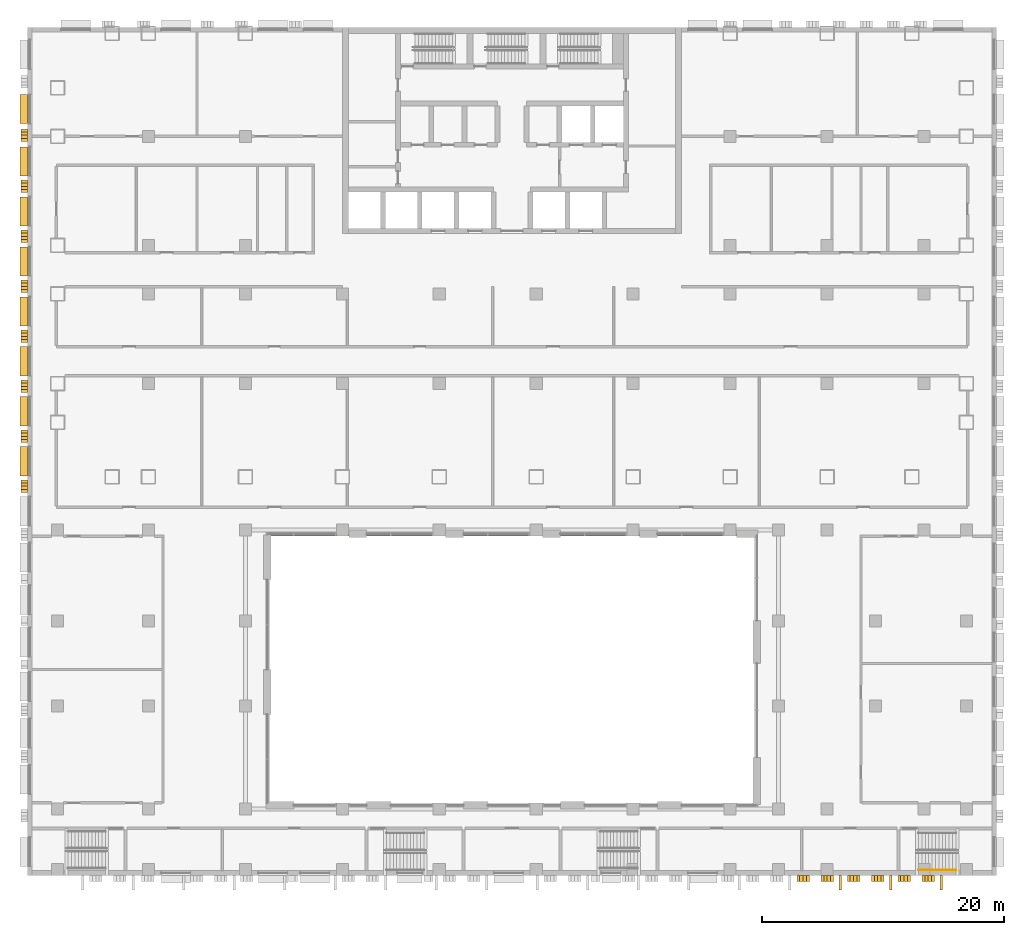
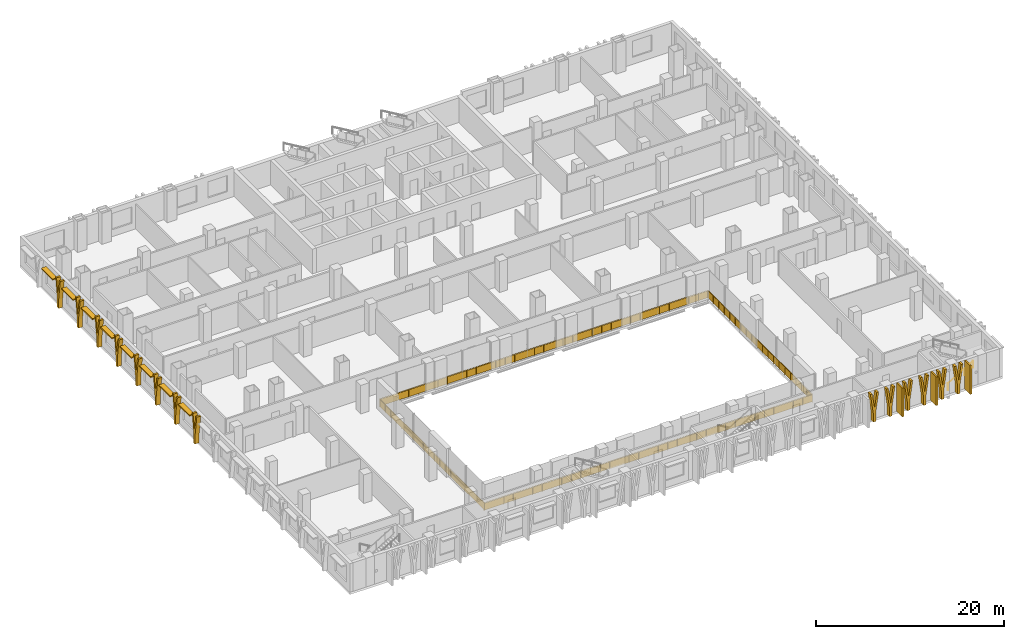
# One storey, part 20 of 24: 25 shading devices, 2 railings.
"""IFC4 building model written with IfcOpenShell, lengths in metres."""

from ifc_helpers import new_model, si_unit, direction, frame, frame_2d, origin, origin_2d, place, context, subcontext, project, spatial, polyline, rectangle, circle, outline, extrude, material, layer, layer_set, type_object, element, save


model = new_model("IFC4")

# Units and contexts
model_context = context("Model", 3, precision=1e-05, world=origin(), true_north=direction((0.0, 1.0)))
body_context = subcontext(model_context, "Body", "Model", "MODEL_VIEW")
ifc_project = project(units=[si_unit("LENGTHUNIT", "METRE"), si_unit("AREAUNIT", "SQUARE_METRE"), si_unit("VOLUMEUNIT", "CUBIC_METRE"), si_unit("PLANEANGLEUNIT", "RADIAN"), si_unit("MASSUNIT", "GRAM", prefix="KILO")], contexts=[model_context])

# Site, building, storey
site_placement = place(None, origin())
site = spatial("IfcSite", under=ifc_project, at=site_placement, CompositionType="ELEMENT")
building_placement = place(site_placement, origin())
building = spatial("IfcBuilding", under=site, at=building_placement, Name="Vidyagriha Tower", CompositionType="ELEMENT")
storey_placement = place(building_placement, frame((0.0, 0.0, 22.0)))
storey = spatial("IfcBuildingStorey", under=building, at=storey_placement, Name="L05", CompositionType="ELEMENT", Elevation=22.0)

# Railing
ifc_material_1 = material(Name="Powder coated ASTM A500 Grade C steel balustrade", Category="steel")
railing_type_1 = type_object("IfcRailingType", Name="Atrium Gallery Guard 1100", PredefinedType="GUARDRAIL", material=ifc_material_1)
railing_1_placement = place(storey_placement, frame((-20.10009765625, -44.0, 0.0)))
element("IfcRailing", 1, at=railing_1_placement, inside=storey, type_object=railing_type_1, Name="L05 atrium gallery guard", PredefinedType="GUARDRAIL", context=body_context, shape_type="SweptSolid", body=[
    extrude(circle(Radius=0.02392578125, at=origin_2d()), frame((0.0, 0.0, 1.076171875), z_axis=(0.0, -1.0, 0.0), x_axis=(1.0, 0.0, 0.0)), (0.0, 0.0, 1.0), 0.10009765625),
    extrude(circle(Radius=0.02392578125, at=origin_2d()), frame((0.0, -0.10009765625, 1.076171875), z_axis=(1.0, 0.0, 0.0), x_axis=(0.0, 1.0, 0.0)), (0.0, 0.0, 1.0), 40.2001953125),
    extrude(circle(Radius=0.02392578125, at=origin_2d()), frame((40.2001953125, -0.10009765625, 1.076171875), z_axis=(0.0, 1.0, 0.0), x_axis=(-1.0, 0.0, 0.0)), (0.0, 0.0, 1.0), 22.2001953125),
    extrude(circle(Radius=0.02392578125, at=origin_2d()), frame((40.2001953125, 22.10009765625, 1.076171875), z_axis=(-1.0, 0.0, 0.0), x_axis=(0.0, -1.0, 0.0)), (0.0, 0.0, 1.0), 40.2001953125),
    extrude(circle(Radius=0.02392578125, at=origin_2d()), frame((0.0, 22.10009765625, 1.076171875), z_axis=(0.0, -1.0, 0.0), x_axis=(1.0, 0.0, 0.0)), (0.0, 0.0, 1.0), 22.0),
    extrude(circle(Radius=0.02099609375, at=origin_2d()), origin(), (0.0, 0.0, 1.0), 1.052001953125),
    extrude(circle(Radius=0.02099609375, at=origin_2d()), frame((0.0, -0.10009765625, 0.0)), (0.0, 0.0, 1.0), 1.052001953125),
    extrude(circle(Radius=0.02099609375, at=origin_2d()), frame((1.182373046875, -0.10009765625, 0.0)), (0.0, 0.0, 1.0), 1.052001953125),
    extrude(circle(Radius=0.02099609375, at=origin_2d()), frame((2.36474609375, -0.10009765625, 0.0)), (0.0, 0.0, 1.0), 1.052001953125),
    extrude(circle(Radius=0.02099609375, at=origin_2d()), frame((3.547119140625, -0.10009765625, 0.0)), (0.0, 0.0, 1.0), 1.052001953125),
    extrude(circle(Radius=0.02099609375, at=origin_2d()), frame((4.7294921875, -0.10009765625, 0.0)), (0.0, 0.0, 1.0), 1.052001953125),
    extrude(circle(Radius=0.02099609375, at=origin_2d()), frame((5.911865234375, -0.10009765625, 0.0)), (0.0, 0.0, 1.0), 1.052001953125),
    extrude(circle(Radius=0.02099609375, at=origin_2d()), frame((7.09423828125, -0.10009765625, 0.0)), (0.0, 0.0, 1.0), 1.052001953125),
    extrude(circle(Radius=0.02099609375, at=origin_2d()), frame((8.276611328125, -0.10009765625, 0.0)), (0.0, 0.0, 1.0), 1.052001953125),
    extrude(circle(Radius=0.02099609375, at=origin_2d()), frame((9.458984375, -0.10009765625, 0.0)), (0.0, 0.0, 1.0), 1.052001953125),
    extrude(circle(Radius=0.02099609375, at=origin_2d()), frame((10.64111328125, -0.10009765625, 0.0)), (0.0, 0.0, 1.0), 1.052001953125),
    extrude(circle(Radius=0.02099609375, at=origin_2d()), frame((11.823486328125, -0.10009765625, 0.0)), (0.0, 0.0, 1.0), 1.052001953125),
    extrude(circle(Radius=0.02099609375, at=origin_2d()), frame((13.005859375, -0.10009765625, 0.0)), (0.0, 0.0, 1.0), 1.052001953125),
    extrude(circle(Radius=0.02099609375, at=origin_2d()), frame((14.188232421875, -0.10009765625, 0.0)), (0.0, 0.0, 1.0), 1.052001953125),
    extrude(circle(Radius=0.02099609375, at=origin_2d()), frame((15.37060546875, -0.10009765625, 0.0)), (0.0, 0.0, 1.0), 1.052001953125),
    extrude(circle(Radius=0.02099609375, at=origin_2d()), frame((16.552978515625, -0.10009765625, 0.0)), (0.0, 0.0, 1.0), 1.052001953125),
    extrude(circle(Radius=0.02099609375, at=origin_2d()), frame((17.7353515625, -0.10009765625, 0.0)), (0.0, 0.0, 1.0), 1.052001953125),
    extrude(circle(Radius=0.02099609375, at=origin_2d()), frame((18.917724609375, -0.10009765625, 0.0)), (0.0, 0.0, 1.0), 1.052001953125),
    extrude(circle(Radius=0.02099609375, at=origin_2d()), frame((20.10009765625, -0.10009765625, 0.0)), (0.0, 0.0, 1.0), 1.052001953125),
    extrude(circle(Radius=0.02099609375, at=origin_2d()), frame((21.282470703125, -0.10009765625, 0.0)), (0.0, 0.0, 1.0), 1.052001953125),
    extrude(circle(Radius=0.02099609375, at=origin_2d()), frame((22.46484375, -0.10009765625, 0.0)), (0.0, 0.0, 1.0), 1.052001953125),
    extrude(circle(Radius=0.02099609375, at=origin_2d()), frame((23.647216796875, -0.10009765625, 0.0)), (0.0, 0.0, 1.0), 1.052001953125),
    extrude(circle(Radius=0.02099609375, at=origin_2d()), frame((24.82958984375, -0.10009765625, 0.0)), (0.0, 0.0, 1.0), 1.052001953125),
    extrude(circle(Radius=0.02099609375, at=origin_2d()), frame((26.011962890625, -0.10009765625, 0.0)), (0.0, 0.0, 1.0), 1.052001953125),
    extrude(circle(Radius=0.02099609375, at=origin_2d()), frame((27.1943359375, -0.10009765625, 0.0)), (0.0, 0.0, 1.0), 1.052001953125),
    extrude(circle(Radius=0.02099609375, at=origin_2d()), frame((28.376708984375, -0.10009765625, 0.0)), (0.0, 0.0, 1.0), 1.052001953125),
    extrude(circle(Radius=0.02099609375, at=origin_2d()), frame((29.55908203125, -0.10009765625, 0.0)), (0.0, 0.0, 1.0), 1.052001953125),
    extrude(circle(Radius=0.02099609375, at=origin_2d()), frame((30.7412109375, -0.10009765625, 0.0)), (0.0, 0.0, 1.0), 1.052001953125),
    extrude(circle(Radius=0.02099609375, at=origin_2d()), frame((31.923583984375, -0.10009765625, 0.0)), (0.0, 0.0, 1.0), 1.052001953125),
    extrude(circle(Radius=0.02099609375, at=origin_2d()), frame((33.10595703125, -0.10009765625, 0.0)), (0.0, 0.0, 1.0), 1.052001953125),
    extrude(circle(Radius=0.02099609375, at=origin_2d()), frame((34.288330078125, -0.10009765625, 0.0)), (0.0, 0.0, 1.0), 1.052001953125),
    extrude(circle(Radius=0.02099609375, at=origin_2d()), frame((35.470703125, -0.10009765625, 0.0)), (0.0, 0.0, 1.0), 1.052001953125),
    extrude(circle(Radius=0.02099609375, at=origin_2d()), frame((36.653076171875, -0.10009765625, 0.0)), (0.0, 0.0, 1.0), 1.052001953125),
    extrude(circle(Radius=0.02099609375, at=origin_2d()), frame((37.83544921875, -0.10009765625, 0.0)), (0.0, 0.0, 1.0), 1.052001953125),
    extrude(circle(Radius=0.02099609375, at=origin_2d()), frame((39.017822265625, -0.10009765625, 0.0)), (0.0, 0.0, 1.0), 1.052001953125),
    extrude(circle(Radius=0.02099609375, at=origin_2d()), frame((40.2001953125, -0.10009765625, 0.0)), (0.0, 0.0, 1.0), 1.052001953125),
    extrude(circle(Radius=0.02099609375, at=origin_2d()), frame((40.2001953125, 1.068359375, 0.0)), (0.0, 0.0, 1.0), 1.052001953125),
    extrude(circle(Radius=0.02099609375, at=origin_2d()), frame((40.2001953125, 2.23681640625, 0.0)), (0.0, 0.0, 1.0), 1.052001953125),
    extrude(circle(Radius=0.02099609375, at=origin_2d()), frame((40.2001953125, 3.4052734375, 0.0)), (0.0, 0.0, 1.0), 1.052001953125),
    extrude(circle(Radius=0.02099609375, at=origin_2d()), frame((40.2001953125, 4.57373046875, 0.0)), (0.0, 0.0, 1.0), 1.052001953125),
    extrude(circle(Radius=0.02099609375, at=origin_2d()), frame((40.2001953125, 5.741943359375, 0.0)), (0.0, 0.0, 1.0), 1.052001953125),
    extrude(circle(Radius=0.02099609375, at=origin_2d()), frame((40.2001953125, 6.910400390625, 0.0)), (0.0, 0.0, 1.0), 1.052001953125),
    extrude(circle(Radius=0.02099609375, at=origin_2d()), frame((40.2001953125, 8.078857421875, 0.0)), (0.0, 0.0, 1.0), 1.052001953125),
    extrude(circle(Radius=0.02099609375, at=origin_2d()), frame((40.2001953125, 9.247314453125, 0.0)), (0.0, 0.0, 1.0), 1.052001953125),
    extrude(circle(Radius=0.02099609375, at=origin_2d()), frame((40.2001953125, 10.415771484375, 0.0)), (0.0, 0.0, 1.0), 1.052001953125),
    extrude(circle(Radius=0.02099609375, at=origin_2d()), frame((40.2001953125, 11.584228515625, 0.0)), (0.0, 0.0, 1.0), 1.052001953125),
    extrude(circle(Radius=0.02099609375, at=origin_2d()), frame((40.2001953125, 12.752685546875, 0.0)), (0.0, 0.0, 1.0), 1.052001953125),
    extrude(circle(Radius=0.02099609375, at=origin_2d()), frame((40.2001953125, 13.921142578125, 0.0)), (0.0, 0.0, 1.0), 1.052001953125),
    extrude(circle(Radius=0.02099609375, at=origin_2d()), frame((40.2001953125, 15.089599609375, 0.0)), (0.0, 0.0, 1.0), 1.052001953125),
    extrude(circle(Radius=0.02099609375, at=origin_2d()), frame((40.2001953125, 16.258056640625, 0.0)), (0.0, 0.0, 1.0), 1.052001953125),
    extrude(circle(Radius=0.02099609375, at=origin_2d()), frame((40.2001953125, 17.42626953125, 0.0)), (0.0, 0.0, 1.0), 1.052001953125),
    extrude(circle(Radius=0.02099609375, at=origin_2d()), frame((40.2001953125, 18.5947265625, 0.0)), (0.0, 0.0, 1.0), 1.052001953125),
    extrude(circle(Radius=0.02099609375, at=origin_2d()), frame((40.2001953125, 19.76318359375, 0.0)), (0.0, 0.0, 1.0), 1.052001953125),
    extrude(circle(Radius=0.02099609375, at=origin_2d()), frame((40.2001953125, 20.931640625, 0.0)), (0.0, 0.0, 1.0), 1.052001953125),
    extrude(circle(Radius=0.02099609375, at=origin_2d()), frame((40.2001953125, 22.10009765625, 0.0)), (0.0, 0.0, 1.0), 1.052001953125),
    extrude(circle(Radius=0.02099609375, at=origin_2d()), frame((39.017822265625, 22.10009765625, 0.0)), (0.0, 0.0, 1.0), 1.052001953125),
    extrude(circle(Radius=0.02099609375, at=origin_2d()), frame((37.83544921875, 22.10009765625, 0.0)), (0.0, 0.0, 1.0), 1.052001953125),
    extrude(circle(Radius=0.02099609375, at=origin_2d()), frame((36.653076171875, 22.10009765625, 0.0)), (0.0, 0.0, 1.0), 1.052001953125),
    extrude(circle(Radius=0.02099609375, at=origin_2d()), frame((35.470703125, 22.10009765625, 0.0)), (0.0, 0.0, 1.0), 1.052001953125),
    extrude(circle(Radius=0.02099609375, at=origin_2d()), frame((34.288330078125, 22.10009765625, 0.0)), (0.0, 0.0, 1.0), 1.052001953125),
    extrude(circle(Radius=0.02099609375, at=origin_2d()), frame((33.10595703125, 22.10009765625, 0.0)), (0.0, 0.0, 1.0), 1.052001953125),
    extrude(circle(Radius=0.02099609375, at=origin_2d()), frame((31.923583984375, 22.10009765625, 0.0)), (0.0, 0.0, 1.0), 1.052001953125),
    extrude(circle(Radius=0.02099609375, at=origin_2d()), frame((30.7412109375, 22.10009765625, 0.0)), (0.0, 0.0, 1.0), 1.052001953125),
    extrude(circle(Radius=0.02099609375, at=origin_2d()), frame((29.55908203125, 22.10009765625, 0.0)), (0.0, 0.0, 1.0), 1.052001953125),
    extrude(circle(Radius=0.02099609375, at=origin_2d()), frame((28.376708984375, 22.10009765625, 0.0)), (0.0, 0.0, 1.0), 1.052001953125),
    extrude(circle(Radius=0.02099609375, at=origin_2d()), frame((27.1943359375, 22.10009765625, 0.0)), (0.0, 0.0, 1.0), 1.052001953125),
    extrude(circle(Radius=0.02099609375, at=origin_2d()), frame((26.011962890625, 22.10009765625, 0.0)), (0.0, 0.0, 1.0), 1.052001953125),
    extrude(circle(Radius=0.02099609375, at=origin_2d()), frame((24.82958984375, 22.10009765625, 0.0)), (0.0, 0.0, 1.0), 1.052001953125),
    extrude(circle(Radius=0.02099609375, at=origin_2d()), frame((23.647216796875, 22.10009765625, 0.0)), (0.0, 0.0, 1.0), 1.052001953125),
    extrude(circle(Radius=0.02099609375, at=origin_2d()), frame((22.46484375, 22.10009765625, 0.0)), (0.0, 0.0, 1.0), 1.052001953125),
    extrude(circle(Radius=0.02099609375, at=origin_2d()), frame((21.282470703125, 22.10009765625, 0.0)), (0.0, 0.0, 1.0), 1.052001953125),
    extrude(circle(Radius=0.02099609375, at=origin_2d()), frame((20.10009765625, 22.10009765625, 0.0)), (0.0, 0.0, 1.0), 1.052001953125),
    extrude(circle(Radius=0.02099609375, at=origin_2d()), frame((18.917724609375, 22.10009765625, 0.0)), (0.0, 0.0, 1.0), 1.052001953125),
    extrude(circle(Radius=0.02099609375, at=origin_2d()), frame((17.7353515625, 22.10009765625, 0.0)), (0.0, 0.0, 1.0), 1.052001953125),
    extrude(circle(Radius=0.02099609375, at=origin_2d()), frame((16.552978515625, 22.10009765625, 0.0)), (0.0, 0.0, 1.0), 1.052001953125),
    extrude(circle(Radius=0.02099609375, at=origin_2d()), frame((15.37060546875, 22.10009765625, 0.0)), (0.0, 0.0, 1.0), 1.052001953125),
    extrude(circle(Radius=0.02099609375, at=origin_2d()), frame((14.188232421875, 22.10009765625, 0.0)), (0.0, 0.0, 1.0), 1.052001953125),
    extrude(circle(Radius=0.02099609375, at=origin_2d()), frame((13.005859375, 22.10009765625, 0.0)), (0.0, 0.0, 1.0), 1.052001953125),
    extrude(circle(Radius=0.02099609375, at=origin_2d()), frame((11.823486328125, 22.10009765625, 0.0)), (0.0, 0.0, 1.0), 1.052001953125),
    extrude(circle(Radius=0.02099609375, at=origin_2d()), frame((10.64111328125, 22.10009765625, 0.0)), (0.0, 0.0, 1.0), 1.052001953125),
    extrude(circle(Radius=0.02099609375, at=origin_2d()), frame((9.458984375, 22.10009765625, 0.0)), (0.0, 0.0, 1.0), 1.052001953125),
    extrude(circle(Radius=0.02099609375, at=origin_2d()), frame((8.276611328125, 22.10009765625, 0.0)), (0.0, 0.0, 1.0), 1.052001953125),
    extrude(circle(Radius=0.02099609375, at=origin_2d()), frame((7.09423828125, 22.10009765625, 0.0)), (0.0, 0.0, 1.0), 1.052001953125),
    extrude(circle(Radius=0.02099609375, at=origin_2d()), frame((5.911865234375, 22.10009765625, 0.0)), (0.0, 0.0, 1.0), 1.052001953125),
    extrude(circle(Radius=0.02099609375, at=origin_2d()), frame((4.7294921875, 22.10009765625, 0.0)), (0.0, 0.0, 1.0), 1.052001953125),
    extrude(circle(Radius=0.02099609375, at=origin_2d()), frame((3.547119140625, 22.10009765625, 0.0)), (0.0, 0.0, 1.0), 1.052001953125),
    extrude(circle(Radius=0.02099609375, at=origin_2d()), frame((2.36474609375, 22.10009765625, 0.0)), (0.0, 0.0, 1.0), 1.052001953125),
    extrude(circle(Radius=0.02099609375, at=origin_2d()), frame((1.182373046875, 22.10009765625, 0.0)), (0.0, 0.0, 1.0), 1.052001953125),
    extrude(circle(Radius=0.02099609375, at=origin_2d()), frame((0.0, 22.10009765625, 0.0)), (0.0, 0.0, 1.0), 1.052001953125),
    extrude(circle(Radius=0.02099609375, at=origin_2d()), frame((0.0, 20.942138671875, 0.0)), (0.0, 0.0, 1.0), 1.052001953125),
    extrude(circle(Radius=0.02099609375, at=origin_2d()), frame((0.0, 19.784423828125, 0.0)), (0.0, 0.0, 1.0), 1.052001953125),
    extrude(circle(Radius=0.02099609375, at=origin_2d()), frame((0.0, 18.62646484375, 0.0)), (0.0, 0.0, 1.0), 1.052001953125),
    extrude(circle(Radius=0.02099609375, at=origin_2d()), frame((0.0, 17.468505859375, 0.0)), (0.0, 0.0, 1.0), 1.052001953125),
    extrude(circle(Radius=0.02099609375, at=origin_2d()), frame((0.0, 16.310546875, 0.0)), (0.0, 0.0, 1.0), 1.052001953125),
    extrude(circle(Radius=0.02099609375, at=origin_2d()), frame((0.0, 15.15283203125, 0.0)), (0.0, 0.0, 1.0), 1.052001953125),
    extrude(circle(Radius=0.02099609375, at=origin_2d()), frame((0.0, 13.994873046875, 0.0)), (0.0, 0.0, 1.0), 1.052001953125),
    extrude(circle(Radius=0.02099609375, at=origin_2d()), frame((0.0, 12.8369140625, 0.0)), (0.0, 0.0, 1.0), 1.052001953125),
    extrude(circle(Radius=0.02099609375, at=origin_2d()), frame((0.0, 11.678955078125, 0.0)), (0.0, 0.0, 1.0), 1.052001953125),
    extrude(circle(Radius=0.02099609375, at=origin_2d()), frame((0.0, 10.521240234375, 0.0)), (0.0, 0.0, 1.0), 1.052001953125),
    extrude(circle(Radius=0.02099609375, at=origin_2d()), frame((0.0, 9.36328125, 0.0)), (0.0, 0.0, 1.0), 1.052001953125),
    extrude(circle(Radius=0.02099609375, at=origin_2d()), frame((0.0, 8.205322265625, 0.0)), (0.0, 0.0, 1.0), 1.052001953125),
    extrude(circle(Radius=0.02099609375, at=origin_2d()), frame((0.0, 7.04736328125, 0.0)), (0.0, 0.0, 1.0), 1.052001953125),
    extrude(circle(Radius=0.02099609375, at=origin_2d()), frame((0.0, 5.8896484375, 0.0)), (0.0, 0.0, 1.0), 1.052001953125),
    extrude(circle(Radius=0.02099609375, at=origin_2d()), frame((0.0, 4.731689453125, 0.0)), (0.0, 0.0, 1.0), 1.052001953125),
    extrude(circle(Radius=0.02099609375, at=origin_2d()), frame((0.0, 3.57373046875, 0.0)), (0.0, 0.0, 1.0), 1.052001953125),
    extrude(circle(Radius=0.02099609375, at=origin_2d()), frame((0.0, 2.415771484375, 0.0)), (0.0, 0.0, 1.0), 1.052001953125),
    extrude(circle(Radius=0.02099609375, at=origin_2d()), frame((0.0, 1.258056640625, 0.0)), (0.0, 0.0, 1.0), 1.052001953125),
    extrude(circle(Radius=0.02099609375, at=origin_2d()), frame((0.0, 0.10009765625, 0.0)), (0.0, 0.0, 1.0), 1.052001953125),
    extrude(rectangle(XDim=0.010009765625, YDim=0.902099609375, at=origin_2d()), frame((0.0, 0.0, 0.551025390625), z_axis=(0.0, -1.0, 0.0), x_axis=(1.0, 0.0, 0.0)), (0.0, 0.0, 1.0), 0.10009765625),
    extrude(rectangle(XDim=0.010009765625, YDim=0.902099609375, at=origin_2d()), frame((0.0, -0.10009765625, 0.551025390625), z_axis=(1.0, 0.0, 0.0), x_axis=(0.0, 1.0, 0.0)), (0.0, 0.0, 1.0), 40.2001953125),
    extrude(rectangle(XDim=0.010009765625, YDim=0.902099609375, at=origin_2d()), frame((40.2001953125, -0.10009765625, 0.551025390625), z_axis=(0.0, 1.0, 0.0), x_axis=(-1.0, 0.0, 0.0)), (0.0, 0.0, 1.0), 22.2001953125),
    extrude(rectangle(XDim=0.010009765625, YDim=0.902099609375, at=origin_2d()), frame((40.2001953125, 22.10009765625, 0.551025390625), z_axis=(-1.0, 0.0, 0.0), x_axis=(0.0, -1.0, 0.0)), (0.0, 0.0, 1.0), 40.2001953125),
    extrude(rectangle(XDim=0.010009765625, YDim=0.902099609375, at=origin_2d()), frame((0.0, 22.10009765625, 0.551025390625), z_axis=(0.0, -1.0, 0.0), x_axis=(1.0, 0.0, 0.0)), (0.0, 0.0, 1.0), 22.0),
])

# Shading devices
ifc_material_2 = material(Name="Precast concrete C40/50 with brick facing", Category="concrete")
ifc_layer_1 = layer(ifc_material_2, 0.14990234375)
ifc_layer_set_1 = layer_set([ifc_layer_1], Name="Precast concrete C40/50 with brick facing")
shading_device_type_1 = type_object("IfcShadingDeviceType", Name="Brick chhajja window hood", PredefinedType="AWNING", material=ifc_layer_set_1)
for number, where, z_axis, x_axis, name in (
    (2, (-40.300048828125, 13.25, 3.0), (0.0, 0.0, 1.0), (0.0, -1.0, 0.0), "Window hood L05 R05.2"),
    (3, (-40.300048828125, 8.9375, 3.0), (0.0, 0.0, 1.0), (0.0, -1.0, 0.0), "Window hood L05 R05.3"),
    (4, (-40.300048828125, 4.8125, 3.0), (0.0, 0.0, 1.0), (0.0, -1.0, 0.0), "Window hood L05 R05.4"),
    (5, (-40.300048828125, 0.6875, 3.0), (0.0, 0.0, 1.0), (0.0, -1.0, 0.0), "Window hood L05 R05.5"),
    (6, (-40.300048828125, -3.4375, 3.0), (0.0, 0.0, 1.0), (0.0, -1.0, 0.0), "Window hood L05 R05.6"),
    (7, (-40.300048828125, -7.5625, 3.0), (0.0, 0.0, 1.0), (0.0, -1.0, 0.0), "Window hood L05 R05.7"),
    (8, (-40.300048828125, -11.6875, 3.0), (0.0, 0.0, 1.0), (0.0, -1.0, 0.0), "Window hood L05 R05.8"),
    (9, (-40.300048828125, -15.8125, 3.0), (0.0, 0.0, 1.0), (0.0, -1.0, 0.0), "Window hood L05 R05.9"),
):
    element("IfcShadingDevice", number, at=place(storey_placement, frame(where, z_axis=z_axis, x_axis=x_axis)), inside=storey, type_object=shading_device_type_1, Name=name, PredefinedType="AWNING", context=body_context, shape_type="SweptSolid", body=[
        extrude(rectangle(XDim=2.39990234375, YDim=0.60009765625, at=origin_2d()), origin(), (0.0, 0.0, 1.0), 0.14990234375),
    ])
ifc_material_3 = material(Name="Precast concrete C40/50 with buff brick facing", Category="concrete")
ifc_layer_2 = layer(ifc_material_3, 0.300048828125)
ifc_layer_set_2 = layer_set([ifc_layer_2], Name="Precast concrete C40/50 with buff brick facing")
shading_device_type_2 = type_object("IfcShadingDeviceType", Name="Brick-faced podium blade forking 8 degrees", PredefinedType="USERDEFINED", material=ifc_layer_set_2)
for number, where, z_axis, x_axis, name in (
    (10, (-40.25, 11.609130859375, 0.0), (0.0, 0.0, 1.0), (0.0, -1.0, 0.0), "Podium blade L05 R05.891"),
    (11, (-40.25, 7.390380859375, 0.0), (0.0, 0.0, 1.0), (0.0, -1.0, 0.0), "Podium blade L05 R05.1312"),
    (12, (-40.25, 3.265380859375, 0.0), (0.0, 0.0, 1.0), (0.0, -1.0, 0.0), "Podium blade L05 R05.1725"),
    (13, (-40.25, -0.859619140625, 0.0), (0.0, 0.0, 1.0), (0.0, -1.0, 0.0), "Podium blade L05 R05.2138"),
    (14, (-40.25, -4.984619140625, 0.0), (0.0, 0.0, 1.0), (0.0, -1.0, 0.0), "Podium blade L05 R05.2550"),
    (15, (-40.25, -9.109619140625, 0.0), (0.0, 0.0, 1.0), (0.0, -1.0, 0.0), "Podium blade L05 R05.2962"),
    (16, (-40.25, -13.234619140625, 0.0), (0.0, 0.0, 1.0), (0.0, -1.0, 0.0), "Podium blade L05 R05.3375"),
    (17, (-40.25, -17.359619140625, 0.0), (0.0, 0.0, 1.0), (0.0, -1.0, 0.0), "Podium blade L05 R05.3788"),
):
    element("IfcShadingDevice", number, at=place(storey_placement, frame(where, z_axis=z_axis, x_axis=x_axis)), inside=storey, type_object=shading_device_type_2, Name=name, ObjectType="BLADE FIN", PredefinedType="USERDEFINED", context=body_context, shape_type="SweptSolid", body=[
        extrude(outline(polyline([(0.665283203125, 0.0), (0.665283203125, 1.10009765625), (1.03076171875, 3.699951171875), (0.790771484375, 3.699951171875), (0.515380859375, 1.740478515625), (0.239990234375, 3.699951171875), (0.0, 3.699951171875), (0.365478515625, 1.10009765625), (0.365478515625, 0.0), (0.665283203125, 0.0)])), frame((0.0, 0.25, 0.0), z_axis=(0.0, -1.0, 0.0), x_axis=(1.0, 0.0, 0.0)), (0.0, 0.0, 1.0), 0.5),
    ])
for number, where, name in (
    (18, (23.5029296875, -50.25, 0.0), "Podium blade L05 R06.6362"),
    (19, (25.4873046875, -50.25, 0.0), "Podium blade L05 R06.6560"),
    (20, (27.67138671875, -50.25, 0.0), "Podium blade L05 R06.6779"),
    (21, (29.655517578125, -50.25, 0.0), "Podium blade L05 R06.6977"),
    (22, (31.83984375, -50.25, 0.0), "Podium blade L05 R06.7196"),
    (23, (33.82421875, -50.25, 0.0), "Podium blade L05 R06.7394"),
):
    element("IfcShadingDevice", number, at=place(storey_placement, frame(where)), inside=storey, type_object=shading_device_type_2, Name=name, ObjectType="BLADE FIN", PredefinedType="USERDEFINED", context=body_context, shape_type="SweptSolid", body=[
        extrude(outline(polyline([(0.665283203125, 0.0), (0.665283203125, 1.10009765625), (1.03076171875, 3.699951171875), (0.790771484375, 3.699951171875), (0.515380859375, 1.740478515625), (0.239990234375, 3.699951171875), (0.0, 3.699951171875), (0.365478515625, 1.10009765625), (0.365478515625, 0.0), (0.665283203125, 0.0)])), frame((0.0, 0.25, 0.0), z_axis=(0.0, -1.0, 0.0), x_axis=(1.0, 0.0, 0.0)), (0.0, 0.0, 1.0), 0.5),
    ])
ifc_material_4 = material(Name="Precast concrete C40/50 with brick facing", Category="concrete")
ifc_layer_3 = layer(ifc_material_4, 0.199951171875)
ifc_layer_set_3 = layer_set([ifc_layer_3], Name="Precast concrete C40/50 with brick facing")
shading_device_type_3 = type_object("IfcShadingDeviceType", Name="Brick-faced solar fin 1200", PredefinedType="USERDEFINED", material=ifc_layer_set_3)
for number, where, z_axis, x_axis, name in (
    (24, (27.0947265625, -50.0, 0.0), (0.0, 0.0, 1.0), (0.0, -1.0, 0.0), "Solar fin L05 R06.16"),
    (25, (31.26318359375, -50.0, 0.0), (0.0, 0.0, 1.0), (0.0, -1.0, 0.0), "Solar fin L05 R06.17"),
    (26, (35.431640625, -50.0, 0.0), (0.0, 0.0, 1.0), (0.0, -1.0, 0.0), "Solar fin L05 R06.18"),
):
    element("IfcShadingDevice", number, at=place(storey_placement, frame(where, z_axis=z_axis, x_axis=x_axis)), inside=storey, type_object=shading_device_type_3, Name=name, ObjectType="SOLAR FIN", PredefinedType="USERDEFINED", context=body_context, shape_type="SweptSolid", body=[
        extrude(rectangle(XDim=1.199951171875, YDim=0.199951171875, at=frame_2d((0.60009765625, 0.0))), origin(), (0.0, 0.0, 1.0), 3.699951171875),
    ])

# Railing
ifc_material_5 = material(Name="Powder coated ASTM A500 Grade C steel handrail", Category="steel")
railing_type_2 = type_object("IfcRailingType", Name="Podium Stair Handrail 900", PredefinedType="HANDRAIL", material=ifc_material_5)
railing_2_placement = place(storey_placement, frame((33.544921875, -49.550048828125, 0.166748046875)))
element("IfcRailing", 27, at=railing_2_placement, inside=storey, type_object=railing_type_2, Name="L05 PS2 stair handrail 1", PredefinedType="HANDRAIL", context=body_context, shape_type="SweptSolid", body=[
    extrude(circle(Radius=0.02392578125, at=origin_2d()), frame((0.0, 0.0, 0.8759765625), z_axis=(0.859308565015, 0.0, 0.511457515432), x_axis=(0.0, 1.0, 0.0)), (0.0, 0.0, 1.0), 3.58447265625),
    extrude(circle(Radius=0.02099609375, at=origin_2d()), origin(), (0.0, 0.0, 1.0), 0.851806640625),
    extrude(circle(Radius=0.02099609375, at=origin_2d()), frame((1.026611328125, 0.0, 0.611083984375)), (0.0, 0.0, 1.0), 0.851806640625),
    extrude(circle(Radius=0.02099609375, at=origin_2d()), frame((2.053466796875, 0.0, 1.22216796875)), (0.0, 0.0, 1.0), 0.851806640625),
    extrude(circle(Radius=0.02099609375, at=origin_2d()), frame((3.080078125, 0.0, 1.833251953125)), (0.0, 0.0, 1.0), 0.851806640625),
])

save(model, "model.ifc")
